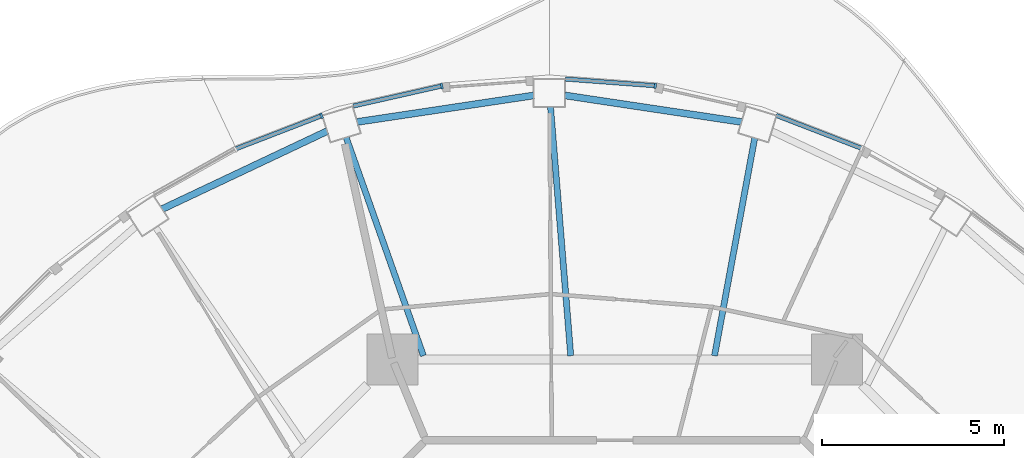
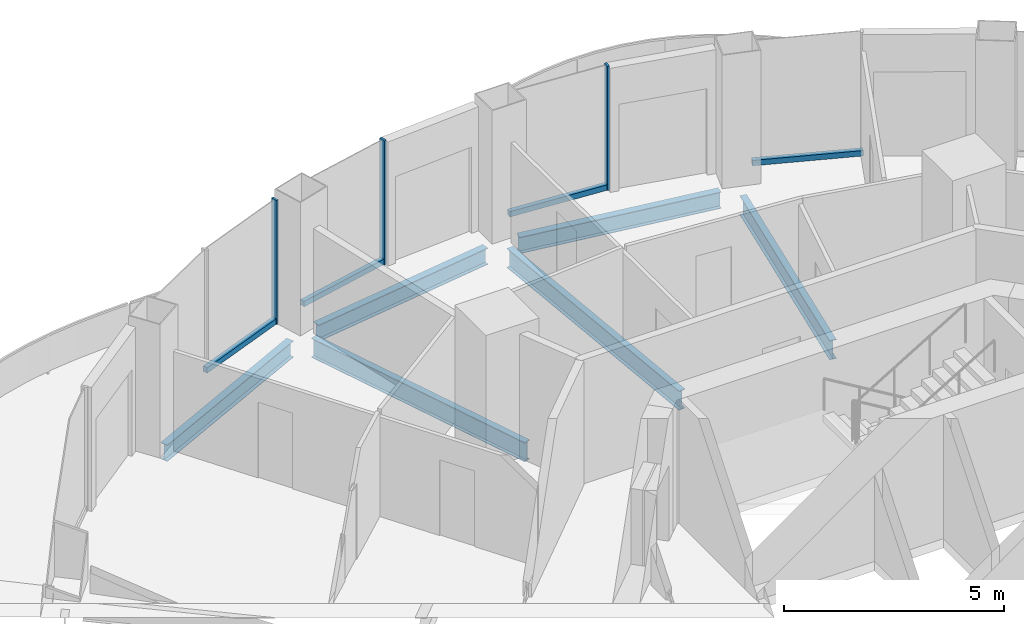
# One storey, part 6 of 17: 7 members, 6 beams, 4 elements without a shape of their own.
"""IFC4 building model written with IfcOpenShell, lengths in metres."""

from ifc_helpers import new_model, si_unit, direction, frame, origin, origin_2d, place, context, subcontext, project, spatial, rectangle, i_section, extrude, material, layer, layer_set, material_profile, profile_set, type_object, element, aggregate, save


model = new_model("IFC4")

# Units and contexts
model_context = context("Model", 3, precision=1e-05, world=origin(), true_north=direction((0.0, 1.0)))
body_context = subcontext(model_context, "Body", "Model", "MODEL_VIEW")
ifc_project = project(units=[si_unit("LENGTHUNIT", "METRE"), si_unit("AREAUNIT", "SQUARE_METRE"), si_unit("VOLUMEUNIT", "CUBIC_METRE"), si_unit("PLANEANGLEUNIT", "RADIAN"), si_unit("MASSUNIT", "GRAM", prefix="KILO")], contexts=[model_context])

# Site, building, storey
site_placement = place(None, origin())
site = spatial("IfcSite", under=ifc_project, at=site_placement, CompositionType="ELEMENT")
building_placement = place(site_placement, origin())
building = spatial("IfcBuilding", under=site, at=building_placement, Name="Nagisa Residences", CompositionType="ELEMENT")
storey_placement = place(building_placement, frame((0.0, 0.0, 269.60009765625)))
storey = spatial("IfcBuildingStorey", under=building, at=storey_placement, Name="L68", CompositionType="ELEMENT", Elevation=269.60009765625)

# Curtain wall, member
ifc_material_1 = material(Name="Concrete-coloured aluminium curtain wall system", Category="concrete")
ifc_layer = layer(ifc_material_1, 0.159912109375)
ifc_layer_set = layer_set([ifc_layer], Name="CW1 CURTAIN WALL")
curtain_wall_type = type_object("IfcCurtainWallType", Name="CW1 CURTAIN WALL", PredefinedType="NOTDEFINED", material=ifc_layer_set)
curtain_wall_1_placement = place(storey_placement, origin())
curtain_wall_1 = element("IfcCurtainWall", 1, at=curtain_wall_1_placement, inside=storey, type_object=curtain_wall_type, Name="cw:CW1:L68:11", PredefinedType="NOTDEFINED")
ifc_material_2 = material(Name="Concrete-coloured aluminium", Category="concrete")
ifc_material_profile_1 = material_profile(ifc_material_2, rectangle(XDim=0.159912109375, YDim=0.06005859375, at=origin_2d()), Name="CW1 MULLION 160x60")
ifc_profile_set_1 = profile_set([ifc_material_profile_1], Name="Concrete-coloured aluminium")
member_type_1 = type_object("IfcMemberType", Name="CW1 MULLION 160x60", PredefinedType="MULLION", material=ifc_profile_set_1)
member_1_placement = place(storey_placement, frame((1.11669921875, 22.324462890625, 0.0), z_axis=(0.0, 0.0, 1.0), x_axis=(-0.074377355493, -0.997230168512, 0.0)))
member_1 = element("IfcMember", 2, at=member_1_placement, type_object=member_type_1, Name="CW1 mullion", PredefinedType="MULLION", context=body_context, shape_type="SweptSolid", body=[
    extrude(rectangle(XDim=0.159912109375, YDim=0.06005859375, at=origin_2d()), origin(), (0.0, 0.0, 1.0), 3.43994140625),
])

curtain_wall_2_placement = place(storey_placement, origin())
curtain_wall_2 = element("IfcCurtainWall", 3, at=curtain_wall_2_placement, inside=storey, type_object=curtain_wall_type, Name="cw:CW1:L68:13", PredefinedType="NOTDEFINED")
member_2_placement = place(storey_placement, frame((-4.76416015625, 22.3173828125, 0.0), z_axis=(0.0, 0.0, 1.0), x_axis=(0.2207639201, -0.975327274089, 0.0)))
member_2 = element("IfcMember", 4, at=member_2_placement, type_object=member_type_1, Name="CW1 mullion", PredefinedType="MULLION", context=body_context, shape_type="SweptSolid", body=[
    extrude(rectangle(XDim=0.159912109375, YDim=0.06005859375, at=origin_2d()), origin(), (0.0, 0.0, 1.0), 3.43994140625),
])

curtain_wall_3_placement = place(storey_placement, origin())
curtain_wall_3 = element("IfcCurtainWall", 5, at=curtain_wall_3_placement, inside=storey, type_object=curtain_wall_type, Name="cw:CW1:L68:14", PredefinedType="NOTDEFINED")
member_3_placement = place(storey_placement, frame((-8.073486328125, 21.49755859375, 0.0), z_axis=(0.0, 0.0, 1.0), x_axis=(0.360327770268, -0.932825759707, 0.0)))
member_3 = element("IfcMember", 6, at=member_3_placement, type_object=member_type_1, Name="CW1 mullion", PredefinedType="MULLION", context=body_context, shape_type="SweptSolid", body=[
    extrude(rectangle(XDim=0.159912109375, YDim=0.06005859375, at=origin_2d()), origin(), (0.0, 0.0, 1.0), 3.43994140625),
])

curtain_wall_4_placement = place(storey_placement, origin())
curtain_wall_4 = element("IfcCurtainWall", 7, at=curtain_wall_4_placement, inside=storey, type_object=curtain_wall_type, Name="cw:CW1:L68:09", PredefinedType="NOTDEFINED")
ifc_material_3 = material(Name="Concrete-coloured aluminium", Category="concrete")
ifc_material_profile_2 = material_profile(ifc_material_3, rectangle(XDim=0.1201171875, YDim=0.14990234375, at=origin_2d()), Name="CW1 TRANSOM 120x150")
ifc_profile_set_2 = profile_set([ifc_material_profile_2], Name="Concrete-coloured aluminium")
member_type_2 = type_object("IfcMemberType", Name="CW1 TRANSOM 120x150", PredefinedType="USERDEFINED", material=ifc_profile_set_2)
member_4_placement = place(storey_placement, frame((6.827392578125, 20.58837890625, 0.074951171875), z_axis=(-0.93282223778, 0.360336887792, 0.0), x_axis=(-0.360336887792, -0.93282223778, 0.0)))
member_4 = element("IfcMember", 8, at=member_4_placement, type_object=member_type_2, Name="CW1 transom", ObjectType="TRANSOM", PredefinedType="USERDEFINED", context=body_context, shape_type="SweptSolid", body=[
    extrude(rectangle(XDim=0.1201171875, YDim=0.14990234375, at=origin_2d()), origin(), (0.0, 0.0, 1.0), 2.5537109375),
])
aggregate(curtain_wall_4, [member_4])

# Member
member_5_placement = place(storey_placement, frame((1.146484375, 22.322265625, 0.074951171875), z_axis=(-0.99722914645, 0.074391057731, 0.0), x_axis=(-0.074391057731, -0.99722914645, 0.0)))
member_5 = element("IfcMember", 9, at=member_5_placement, type_object=member_type_2, Name="CW1 transom", ObjectType="TRANSOM", PredefinedType="USERDEFINED", context=body_context, shape_type="SweptSolid", body=[
    extrude(rectangle(XDim=0.1201171875, YDim=0.14990234375, at=origin_2d()), origin(), (0.0, 0.0, 1.0), 2.510498046875),
])

aggregate(curtain_wall_1, [member_1, member_5])

member_6_placement = place(storey_placement, frame((-4.73486328125, 22.323974609375, 0.074951171875), z_axis=(-0.975340398222, -0.220705930136, 0.0), x_axis=(0.220705930136, -0.975340398222, 0.0)))
member_6 = element("IfcMember", 10, at=member_6_placement, type_object=member_type_2, Name="CW1 transom", ObjectType="TRANSOM", PredefinedType="USERDEFINED", context=body_context, shape_type="SweptSolid", body=[
    extrude(rectangle(XDim=0.1201171875, YDim=0.14990234375, at=origin_2d()), origin(), (0.0, 0.0, 1.0), 2.525390625),
])

aggregate(curtain_wall_2, [member_2, member_6])

member_7_placement = place(storey_placement, frame((-8.04541015625, 21.508544921875, 0.074951171875), z_axis=(-0.93282223778, -0.360336887792, 0.0), x_axis=(0.360336887792, -0.93282223778, 0.0)))
member_7 = element("IfcMember", 11, at=member_7_placement, type_object=member_type_2, Name="CW1 transom", ObjectType="TRANSOM", PredefinedType="USERDEFINED", context=body_context, shape_type="SweptSolid", body=[
    extrude(rectangle(XDim=0.1201171875, YDim=0.14990234375, at=origin_2d()), origin(), (0.0, 0.0, 1.0), 2.5537109375),
])

aggregate(curtain_wall_3, [member_3, member_7])

# Beams
ifc_material_4 = material(Name="Steel ASTM A572 Gr 50", Category="steel")
ifc_material_profile_3 = material_profile(ifc_material_4, i_section(OverallWidth=0.18994140625, OverallDepth=0.45703125, WebThickness=0.009033203125, FlangeThickness=0.014404296875, at=origin_2d()), Name="W460x74")
ifc_profile_set_3 = profile_set([ifc_material_profile_3], Name="Steel ASTM A572 Gr 50")
beam_type_1 = type_object("IfcBeamType", Name="Perimeter ring beam W460x74", PredefinedType="BEAM", material=ifc_profile_set_3)
beam_1_placement = place(storey_placement, frame((3.4951171875, 21.326904296875, -0.488525390625), z_axis=(-0.988907577601, 0.148532161377, 0.0), x_axis=(-0.148532161377, -0.988907577601, 0.0)))
element("IfcBeam", 12, at=beam_1_placement, inside=storey, type_object=beam_type_1, Name="beam:L68:pb06", PredefinedType="BEAM", context=body_context, shape_type="SweptSolid", body=[
    extrude(i_section(OverallWidth=0.18994140625, OverallDepth=0.45703125, WebThickness=0.009033203125, FlangeThickness=0.014404296875, at=origin_2d()), origin(), (0.0, 0.0, 1.0), 4.919677734375),
])
beam_2_placement = place(storey_placement, frame((-2.230224609375, 22.0576171875, -0.488525390625), z_axis=(-0.98890648267, -0.148539451101, 0.0), x_axis=(0.148539451101, -0.98890648267, 0.0)))
element("IfcBeam", 13, at=beam_2_placement, inside=storey, type_object=beam_type_1, Name="beam:L68:pb07", PredefinedType="BEAM", context=body_context, shape_type="SweptSolid", body=[
    extrude(i_section(OverallWidth=0.18994140625, OverallDepth=0.45703125, WebThickness=0.009033203125, FlangeThickness=0.014404296875, at=origin_2d()), origin(), (0.0, 0.0, 1.0), 4.91943359375),
])
beam_3_placement = place(storey_placement, frame((-7.918212890625, 21.076416015625, -0.488525390625), z_axis=(-0.904115893837, -0.427287316113, 0.0), x_axis=(0.427287316113, -0.904115893837, 0.0)))
element("IfcBeam", 14, at=beam_3_placement, inside=storey, type_object=beam_type_1, Name="beam:L68:pb08", PredefinedType="BEAM", context=body_context, shape_type="SweptSolid", body=[
    extrude(i_section(OverallWidth=0.18994140625, OverallDepth=0.45703125, WebThickness=0.009033203125, FlangeThickness=0.014404296875, at=origin_2d()), origin(), (0.0, 0.0, 1.0), 5.031494140625),
])
ifc_material_5 = material(Name="Steel ASTM A572 Gr 50", Category="steel")
ifc_material_profile_4 = material_profile(ifc_material_5, i_section(OverallWidth=0.166015625, OverallDepth=0.534912109375, WebThickness=0.01025390625, FlangeThickness=0.0166015625, at=origin_2d()), Name="W530x85")
ifc_profile_set_4 = profile_set([ifc_material_profile_4], Name="Steel ASTM A572 Gr 50")
beam_type_2 = type_object("IfcBeamType", Name="Radial beam W530x85", PredefinedType="BEAM", material=ifc_profile_set_4)
beam_4_placement = place(storey_placement, frame((3.855712890625, 20.885986328125, -0.527587890625), z_axis=(-0.18155164865, -0.983381410681, 0.0), x_axis=(0.983381410681, -0.18155164865, 0.0)))
element("IfcBeam", 15, at=beam_4_placement, inside=storey, type_object=beam_type_2, Name="beam:L68:rb06", PredefinedType="BEAM", context=body_context, shape_type="SweptSolid", body=[
    extrude(i_section(OverallWidth=0.166015625, OverallDepth=0.534912109375, WebThickness=0.01025390625, FlangeThickness=0.0166015625, at=origin_2d()), origin(), (0.0, 0.0, 1.0), 6.098388671875),
])
beam_5_placement = place(storey_placement, frame((-1.76904296875, 21.7421875, -0.527587890625), z_axis=(0.081094239996, -0.996706438346, 0.0), x_axis=(0.996706438346, 0.081094239996, 0.0)))
element("IfcBeam", 16, at=beam_5_placement, inside=storey, type_object=beam_type_2, Name="beam:L68:rb07", PredefinedType="BEAM", context=body_context, shape_type="SweptSolid", body=[
    extrude(i_section(OverallWidth=0.166015625, OverallDepth=0.534912109375, WebThickness=0.01025390625, FlangeThickness=0.0166015625, at=origin_2d()), origin(), (0.0, 0.0, 1.0), 6.876220703125),
])
beam_6_placement = place(storey_placement, frame((-7.398193359375, 20.903564453125, -0.527587890625), z_axis=(0.333636730814, -0.942701719449, 0.0), x_axis=(0.942701719449, 0.333636730814, 0.0)))
element("IfcBeam", 17, at=beam_6_placement, inside=storey, type_object=beam_type_2, Name="beam:L68:rb08", PredefinedType="BEAM", context=body_context, shape_type="SweptSolid", body=[
    extrude(i_section(OverallWidth=0.166015625, OverallDepth=0.534912109375, WebThickness=0.01025390625, FlangeThickness=0.0166015625, at=origin_2d()), origin(), (0.0, 0.0, 1.0), 6.37939453125),
])

save(model, "model.ifc")
